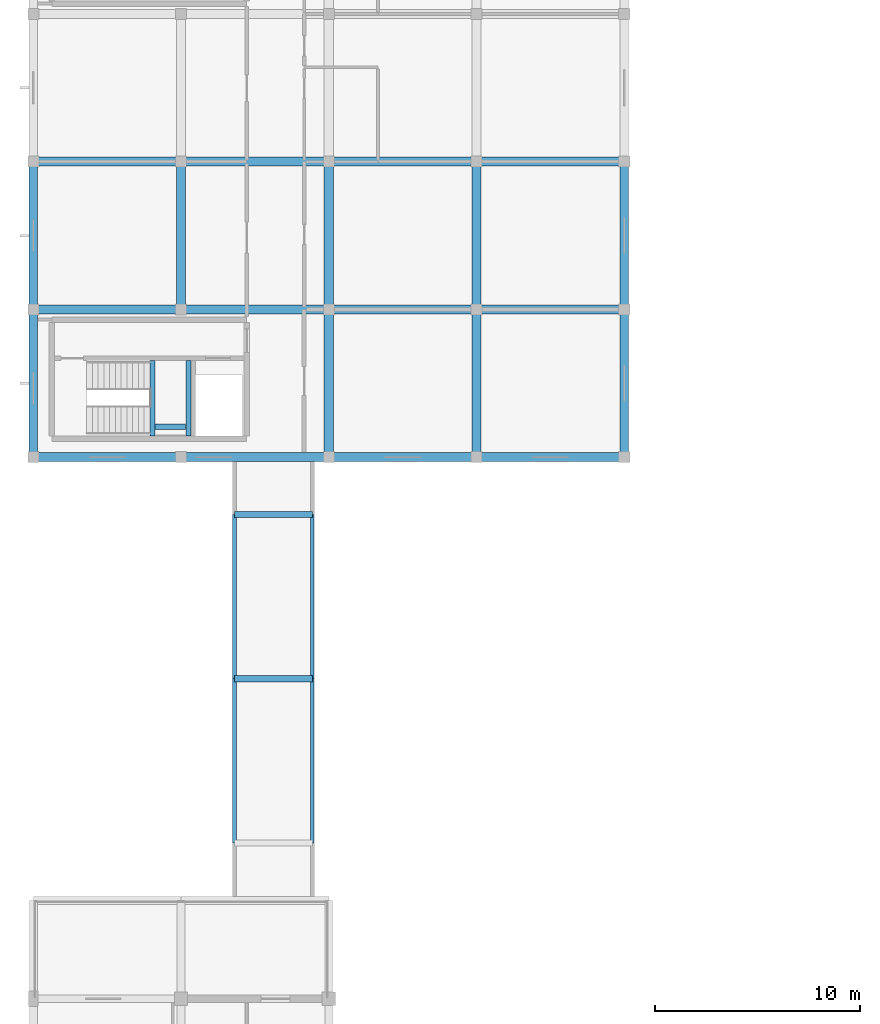
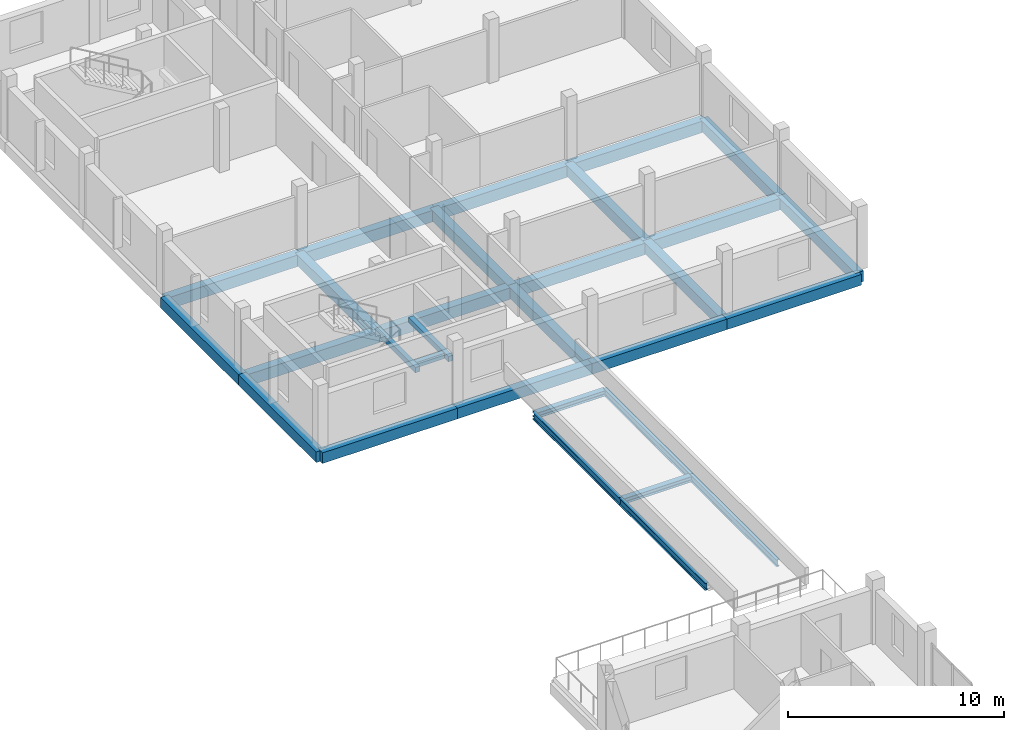
# One storey, part 36 of 93: 30 beams.
"""IFC4 building model written with IfcOpenShell, lengths in metres."""

from ifc_helpers import new_model, si_unit, direction, frame, origin, origin_2d, place, context, subcontext, project, spatial, rectangle, i_section, extrude, material, material_profile, profile_set, type_object, element, save


model = new_model("IFC4")

# Units and contexts
model_context = context("Model", 3, precision=1e-05, world=origin(), true_north=direction((0.0, 1.0)))
body_context = subcontext(model_context, "Body", "Model", "MODEL_VIEW")
ifc_project = project(units=[si_unit("LENGTHUNIT", "METRE"), si_unit("AREAUNIT", "SQUARE_METRE"), si_unit("VOLUMEUNIT", "CUBIC_METRE"), si_unit("PLANEANGLEUNIT", "RADIAN"), si_unit("MASSUNIT", "GRAM", prefix="KILO")], contexts=[model_context])

# Site, building, storey
site_placement = place(None, origin())
site = spatial("IfcSite", under=ifc_project, at=site_placement, CompositionType="ELEMENT")
building_placement = place(site_placement, origin())
building = spatial("IfcBuilding", under=site, at=building_placement, Name="Zornivar Specialist Clinic", CompositionType="ELEMENT")
storey_placement = place(building_placement, frame((0.0, 0.0, 8.39990234375)))
storey = spatial("IfcBuildingStorey", under=building, at=storey_placement, Name="L02", CompositionType="ELEMENT", Elevation=8.39990234375)

# Beams
ifc_material_1 = material(Name="Concrete C30/37", Category="concrete")
ifc_material_profile_1 = material_profile(ifc_material_1, rectangle(XDim=0.25, YDim=0.300048828125, at=origin_2d()), Name="RC 250x300")
ifc_profile_set_1 = profile_set([ifc_material_profile_1], Name="Concrete C30/37")
beam_type_1 = type_object("IfcBeamType", Name="BM-LAND-250x300", PredefinedType="BEAM", material=ifc_profile_set_1)
for number, where, z_axis, x_axis, name in (
    (1, (5.800048828125, 80.22998046875, 1.6201171875), (0.0, 1.0, 0.0), (-1.0, 0.0, 0.0), "bm:stair:C7:L02:lW"),
    (2, (7.56005859375, 80.22998046875, 1.6201171875), (0.0, 1.0, 0.0), (-1.0, 0.0, 0.0), "bm:stair:C7:L02:lE"),
):
    element("IfcBeam", number, at=place(storey_placement, frame(where, z_axis=z_axis, x_axis=x_axis)), inside=storey, type_object=beam_type_1, Name=name, PredefinedType="BEAM", context=body_context, shape_type="SweptSolid", body=[
        extrude(rectangle(XDim=0.25, YDim=0.300048828125, at=origin_2d()), origin(), (0.0, 0.0, 1.0), 3.669921875),
    ])
beam_1_placement = place(storey_placement, frame((5.93505859375, 80.679931640625, 1.6201171875), z_axis=(1.0, 0.0, 0.0), x_axis=(0.0, 1.0, 0.0)))
element("IfcBeam", 3, at=beam_1_placement, inside=storey, type_object=beam_type_1, Name="bm:stair:C7:L02:lS", PredefinedType="BEAM", context=body_context, shape_type="SweptSolid", body=[
    extrude(rectangle(XDim=0.25, YDim=0.300048828125, at=origin_2d()), origin(), (0.0, 0.0, 1.0), 1.489990234375),
])
ifc_material_2 = material(Name="Concrete C30/37", Category="concrete")
ifc_material_profile_2 = material_profile(ifc_material_2, rectangle(XDim=0.43994140625, YDim=0.64990234375, at=origin_2d()), Name="RC 440x650")
ifc_profile_set_2 = profile_set([ifc_material_profile_2], Name="Concrete C30/37")
beam_type_2 = type_object("IfcBeamType", Name="BM-RC-440x650", PredefinedType="BEAM", material=ifc_profile_set_2)
for number, where, z_axis, x_axis, name in (
    (4, (0.0, 86.39990234375, -0.635009765625), (1.0, 0.0, 0.0), (0.0, 1.0, 0.0), "bm:V5:L02:x:864:0"),
    (5, (7.199951171875, 86.39990234375, -0.635009765625), (1.0, 0.0, 0.0), (0.0, 1.0, 0.0), "bm:V5:L02:x:864:1"),
):
    element("IfcBeam", number, at=place(storey_placement, frame(where, z_axis=z_axis, x_axis=x_axis)), inside=storey, type_object=beam_type_2, Name=name, PredefinedType="BEAM", context=body_context, shape_type="SweptSolid", body=[
        extrude(rectangle(XDim=0.43994140625, YDim=0.64990234375, at=origin_2d()), origin(), (0.0, 0.0, 1.0), 7.199951171875),
    ])
beam_2_placement = place(storey_placement, frame((14.39990234375, 86.39990234375, -0.635009765625), z_axis=(1.0, 0.0, 0.0), x_axis=(0.0, 1.0, 0.0)))
element("IfcBeam", 6, at=beam_2_placement, inside=storey, type_object=beam_type_2, Name="bm:V5:L02:x:864:2", PredefinedType="BEAM", context=body_context, shape_type="SweptSolid", body=[
    extrude(rectangle(XDim=0.43994140625, YDim=0.64990234375, at=origin_2d()), origin(), (0.0, 0.0, 1.0), 7.2001953125),
])
for number, where, z_axis, x_axis, name in (
    (7, (21.60009765625, 86.39990234375, -0.635009765625), (1.0, 0.0, 0.0), (0.0, 1.0, 0.0), "bm:V5:L02:x:864:3"),
    (8, (0.0, 93.60009765625, -0.635009765625), (1.0, 0.0, 0.0), (0.0, 1.0, 0.0), "bm:V5:L02:x:936:0"),
    (9, (7.199951171875, 93.60009765625, -0.635009765625), (1.0, 0.0, 0.0), (0.0, 1.0, 0.0), "bm:V5:L02:x:936:1"),
):
    element("IfcBeam", number, at=place(storey_placement, frame(where, z_axis=z_axis, x_axis=x_axis)), inside=storey, type_object=beam_type_2, Name=name, PredefinedType="BEAM", context=body_context, shape_type="SweptSolid", body=[
        extrude(rectangle(XDim=0.43994140625, YDim=0.64990234375, at=origin_2d()), origin(), (0.0, 0.0, 1.0), 7.199951171875),
    ])
beam_3_placement = place(storey_placement, frame((14.39990234375, 93.60009765625, -0.635009765625), z_axis=(1.0, 0.0, 0.0), x_axis=(0.0, 1.0, 0.0)))
element("IfcBeam", 10, at=beam_3_placement, inside=storey, type_object=beam_type_2, Name="bm:V5:L02:x:936:2", PredefinedType="BEAM", context=body_context, shape_type="SweptSolid", body=[
    extrude(rectangle(XDim=0.43994140625, YDim=0.64990234375, at=origin_2d()), origin(), (0.0, 0.0, 1.0), 7.2001953125),
])
beam_4_placement = place(storey_placement, frame((21.60009765625, 93.60009765625, -0.635009765625), z_axis=(1.0, 0.0, 0.0), x_axis=(0.0, 1.0, 0.0)))
element("IfcBeam", 11, at=beam_4_placement, inside=storey, type_object=beam_type_2, Name="bm:V5:L02:x:936:3", PredefinedType="BEAM", context=body_context, shape_type="SweptSolid", body=[
    extrude(rectangle(XDim=0.43994140625, YDim=0.64990234375, at=origin_2d()), origin(), (0.0, 0.0, 1.0), 7.199951171875),
])
ifc_material_3 = material(Name="Concrete C30/37", Category="concrete")
ifc_material_profile_3 = material_profile(ifc_material_3, rectangle(XDim=0.449951171875, YDim=0.60009765625, at=origin_2d()), Name="RC 450x600")
ifc_profile_set_3 = profile_set([ifc_material_profile_3], Name="Concrete C30/37")
beam_type_3 = type_object("IfcBeamType", Name="BM-RC-450x600", PredefinedType="BEAM", material=ifc_profile_set_3)
beam_5_placement = place(storey_placement, frame((7.199951171875, 86.39990234375, -0.60986328125), z_axis=(0.0, 1.0, 0.0), x_axis=(-1.0, 0.0, 0.0)))
element("IfcBeam", 12, at=beam_5_placement, inside=storey, type_object=beam_type_3, Name="bm:V5:L02:y:72:1", PredefinedType="BEAM", context=body_context, shape_type="SweptSolid", body=[
    extrude(rectangle(XDim=0.449951171875, YDim=0.60009765625, at=origin_2d()), origin(), (0.0, 0.0, 1.0), 7.2001953125),
])
beam_6_placement = place(storey_placement, frame((14.39990234375, 79.199951171875, -0.60986328125), z_axis=(0.0, 1.0, 0.0), x_axis=(-1.0, 0.0, 0.0)))
element("IfcBeam", 13, at=beam_6_placement, inside=storey, type_object=beam_type_3, Name="bm:V5:L02:y:144:0", PredefinedType="BEAM", context=body_context, shape_type="SweptSolid", body=[
    extrude(rectangle(XDim=0.449951171875, YDim=0.60009765625, at=origin_2d()), origin(), (0.0, 0.0, 1.0), 7.199951171875),
])
beam_7_placement = place(storey_placement, frame((14.39990234375, 86.39990234375, -0.60986328125), z_axis=(0.0, 1.0, 0.0), x_axis=(-1.0, 0.0, 0.0)))
element("IfcBeam", 14, at=beam_7_placement, inside=storey, type_object=beam_type_3, Name="bm:V5:L02:y:144:1", PredefinedType="BEAM", context=body_context, shape_type="SweptSolid", body=[
    extrude(rectangle(XDim=0.449951171875, YDim=0.60009765625, at=origin_2d()), origin(), (0.0, 0.0, 1.0), 7.2001953125),
])
beam_8_placement = place(storey_placement, frame((21.60009765625, 79.199951171875, -0.60986328125), z_axis=(0.0, 1.0, 0.0), x_axis=(-1.0, 0.0, 0.0)))
element("IfcBeam", 15, at=beam_8_placement, inside=storey, type_object=beam_type_3, Name="bm:V5:L02:y:216:0", PredefinedType="BEAM", context=body_context, shape_type="SweptSolid", body=[
    extrude(rectangle(XDim=0.449951171875, YDim=0.60009765625, at=origin_2d()), origin(), (0.0, 0.0, 1.0), 7.199951171875),
])
beam_9_placement = place(storey_placement, frame((21.60009765625, 86.39990234375, -0.60986328125), z_axis=(0.0, 1.0, 0.0), x_axis=(-1.0, 0.0, 0.0)))
element("IfcBeam", 16, at=beam_9_placement, inside=storey, type_object=beam_type_3, Name="bm:V5:L02:y:216:1", PredefinedType="BEAM", context=body_context, shape_type="SweptSolid", body=[
    extrude(rectangle(XDim=0.449951171875, YDim=0.60009765625, at=origin_2d()), origin(), (0.0, 0.0, 1.0), 7.2001953125),
])
ifc_material_4 = material(Name="Concrete C30/37", Category="concrete")
ifc_material_profile_4 = material_profile(ifc_material_4, rectangle(XDim=0.429931640625, YDim=0.60009765625, at=origin_2d()), Name="RC 430x600")
ifc_profile_set_4 = profile_set([ifc_material_profile_4], Name="Concrete C30/37")
beam_type_4 = type_object("IfcBeamType", Name="BM-RC-SPANDREL-430x600", PredefinedType="SPANDREL", material=ifc_profile_set_4)
for number, where, z_axis, x_axis, name in (
    (17, (0.0, 79.199951171875, -0.60986328125), (1.0, 0.0, 0.0), (0.0, 1.0, 0.0), "bm:V5:L02:x:792:0"),
    (18, (7.199951171875, 79.199951171875, -0.60986328125), (1.0, 0.0, 0.0), (0.0, 1.0, 0.0), "bm:V5:L02:x:792:1"),
):
    element("IfcBeam", number, at=place(storey_placement, frame(where, z_axis=z_axis, x_axis=x_axis)), inside=storey, type_object=beam_type_4, Name=name, PredefinedType="SPANDREL", context=body_context, shape_type="SweptSolid", body=[
        extrude(rectangle(XDim=0.429931640625, YDim=0.60009765625, at=origin_2d()), origin(), (0.0, 0.0, 1.0), 7.199951171875),
    ])
beam_10_placement = place(storey_placement, frame((14.39990234375, 79.199951171875, -0.60986328125), z_axis=(1.0, 0.0, 0.0), x_axis=(0.0, 1.0, 0.0)))
element("IfcBeam", 19, at=beam_10_placement, inside=storey, type_object=beam_type_4, Name="bm:V5:L02:x:792:2", PredefinedType="SPANDREL", context=body_context, shape_type="SweptSolid", body=[
    extrude(rectangle(XDim=0.429931640625, YDim=0.60009765625, at=origin_2d()), origin(), (0.0, 0.0, 1.0), 7.2001953125),
])
for number, where, z_axis, x_axis, name in (
    (20, (21.60009765625, 79.199951171875, -0.60986328125), (1.0, 0.0, 0.0), (0.0, 1.0, 0.0), "bm:V5:L02:x:792:3"),
    (21, (0.0, 79.199951171875, -0.60986328125), (0.0, 1.0, 0.0), (-1.0, 0.0, 0.0), "bm:V5:L02:y:0:0"),
):
    element("IfcBeam", number, at=place(storey_placement, frame(where, z_axis=z_axis, x_axis=x_axis)), inside=storey, type_object=beam_type_4, Name=name, PredefinedType="SPANDREL", context=body_context, shape_type="SweptSolid", body=[
        extrude(rectangle(XDim=0.429931640625, YDim=0.60009765625, at=origin_2d()), origin(), (0.0, 0.0, 1.0), 7.199951171875),
    ])
beam_11_placement = place(storey_placement, frame((0.0, 86.39990234375, -0.60986328125), z_axis=(0.0, 1.0, 0.0), x_axis=(-1.0, 0.0, 0.0)))
element("IfcBeam", 22, at=beam_11_placement, inside=storey, type_object=beam_type_4, Name="bm:V5:L02:y:0:1", PredefinedType="SPANDREL", context=body_context, shape_type="SweptSolid", body=[
    extrude(rectangle(XDim=0.429931640625, YDim=0.60009765625, at=origin_2d()), origin(), (0.0, 0.0, 1.0), 7.2001953125),
])
beam_12_placement = place(storey_placement, frame((28.800048828125, 79.199951171875, -0.60986328125), z_axis=(0.0, 1.0, 0.0), x_axis=(-1.0, 0.0, 0.0)))
element("IfcBeam", 23, at=beam_12_placement, inside=storey, type_object=beam_type_4, Name="bm:V5:L02:y:288:0", PredefinedType="SPANDREL", context=body_context, shape_type="SweptSolid", body=[
    extrude(rectangle(XDim=0.429931640625, YDim=0.60009765625, at=origin_2d()), origin(), (0.0, 0.0, 1.0), 7.199951171875),
])
beam_13_placement = place(storey_placement, frame((28.800048828125, 86.39990234375, -0.60986328125), z_axis=(0.0, 1.0, 0.0), x_axis=(-1.0, 0.0, 0.0)))
element("IfcBeam", 24, at=beam_13_placement, inside=storey, type_object=beam_type_4, Name="bm:V5:L02:y:288:1", PredefinedType="SPANDREL", context=body_context, shape_type="SweptSolid", body=[
    extrude(rectangle(XDim=0.429931640625, YDim=0.60009765625, at=origin_2d()), origin(), (0.0, 0.0, 1.0), 7.2001953125),
])
ifc_material_5 = material(Name="Steel S355J2", Category="steel")
ifc_material_profile_5 = material_profile(ifc_material_5, i_section(OverallWidth=0.300048828125, OverallDepth=0.31005859375, WebThickness=0.009033203125, FlangeThickness=0.015380859375, FilletRadius=0.027099609375, at=origin_2d()), Name="HEA 320")
ifc_profile_set_5 = profile_set([ifc_material_profile_5], Name="Steel S355J2")
beam_type_5 = type_object("IfcBeamType", Name="BM-STL-HEA320", PredefinedType="BEAM", material=ifc_profile_set_5)
for number, where, z_axis, x_axis, name in (
    (25, (9.800048828125, 68.39990234375, -0.02001953125), (1.0, 0.0, 0.0), (0.0, 1.0, 0.0), "bm:BR2:L02:t:684"),
    (26, (9.800048828125, 76.39990234375, -0.02001953125), (1.0, 0.0, 0.0), (0.0, 1.0, 0.0), "bm:BR2:L02:t:764"),
):
    element("IfcBeam", number, at=place(storey_placement, frame(where, z_axis=z_axis, x_axis=x_axis)), inside=storey, type_object=beam_type_5, Name=name, PredefinedType="BEAM", context=body_context, shape_type="SweptSolid", body=[
        extrude(i_section(OverallWidth=0.300048828125, OverallDepth=0.31005859375, WebThickness=0.009033203125, FlangeThickness=0.015380859375, FilletRadius=0.027099609375, at=origin_2d()), origin(), (0.0, 0.0, 1.0), 3.800048828125),
    ])
ifc_material_6 = material(Name="Steel S355J2", Category="steel")
ifc_material_profile_6 = material_profile(ifc_material_6, i_section(OverallWidth=0.179931640625, OverallDepth=0.39990234375, WebThickness=0.008544921875, FlangeThickness=0.013427734375, FilletRadius=0.02099609375, at=origin_2d()), Name="IPE 400")
ifc_profile_set_6 = profile_set([ifc_material_profile_6], Name="Steel S355J2")
beam_type_6 = type_object("IfcBeamType", Name="BM-STL-IPE400", PredefinedType="BEAM", material=ifc_profile_set_6)
for number, where, z_axis, x_axis, name in (
    (27, (9.800048828125, 60.39990234375, -0.02001953125), (0.0, 1.0, 0.0), (-1.0, 0.0, 0.0), "bm:BR2:L02:g:98:0"),
    (28, (9.800048828125, 68.39990234375, -0.02001953125), (0.0, 1.0, 0.0), (-1.0, 0.0, 0.0), "bm:BR2:L02:g:98:1"),
    (29, (13.60009765625, 60.39990234375, -0.02001953125), (0.0, 1.0, 0.0), (-1.0, 0.0, 0.0), "bm:BR2:L02:g:136:0"),
    (30, (13.60009765625, 68.39990234375, -0.02001953125), (0.0, 1.0, 0.0), (-1.0, 0.0, 0.0), "bm:BR2:L02:g:136:1"),
):
    element("IfcBeam", number, at=place(storey_placement, frame(where, z_axis=z_axis, x_axis=x_axis)), inside=storey, type_object=beam_type_6, Name=name, PredefinedType="BEAM", context=body_context, shape_type="SweptSolid", body=[
        extrude(i_section(OverallWidth=0.179931640625, OverallDepth=0.39990234375, WebThickness=0.008544921875, FlangeThickness=0.013427734375, FilletRadius=0.02099609375, at=origin_2d()), origin(), (0.0, 0.0, 1.0), 8.0),
    ])

save(model, "model.ifc")
